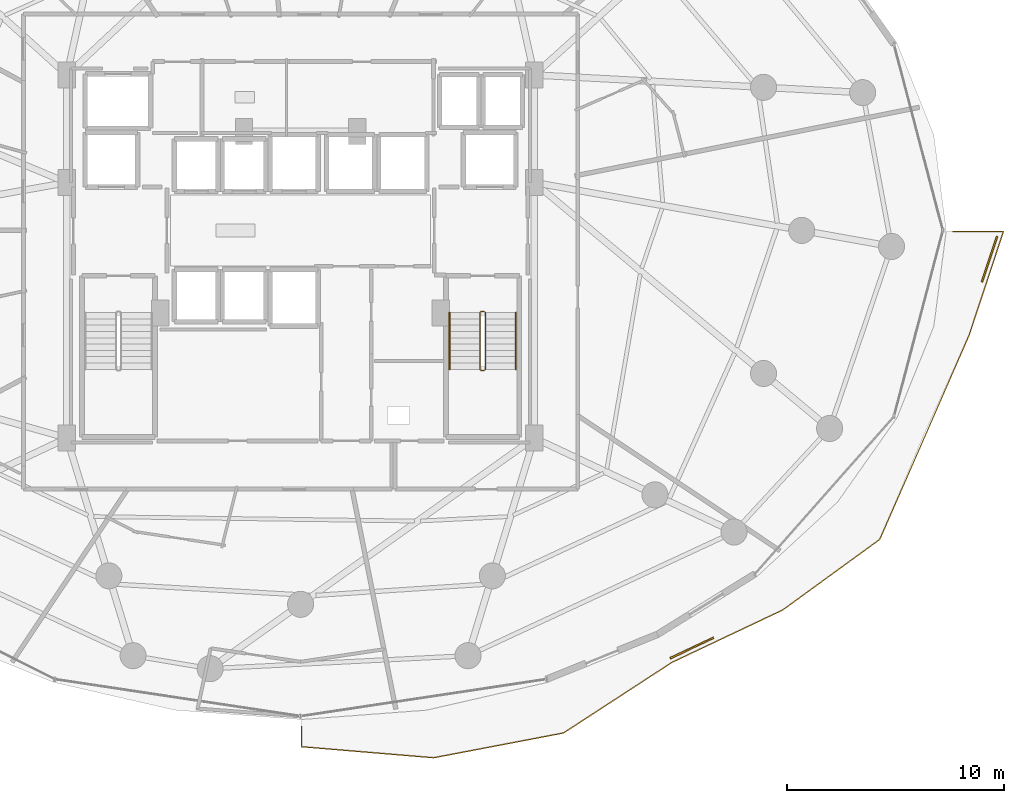
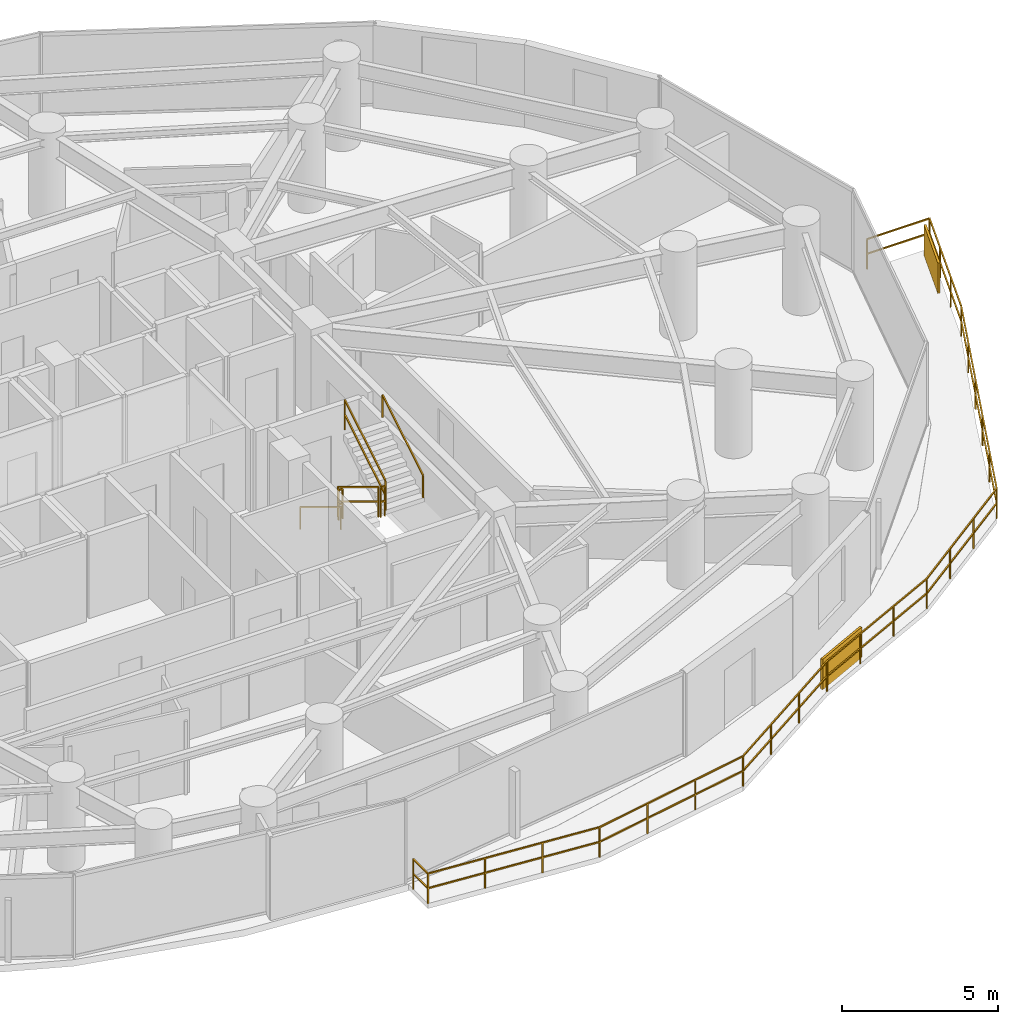
# One storey, part 32 of 34: 8 railings, 2 shading devices.
"""IFC4 building model written with IfcOpenShell, lengths in metres."""

from ifc_helpers import new_model, si_unit, direction, frame, origin, origin_2d, place, context, subcontext, project, spatial, rectangle, extrude, material, type_object, element, save


model = new_model("IFC4")

# Units and contexts
model_context = context("Model", 3, precision=1e-05, world=origin(), true_north=direction((0.0, 1.0)))
body_context = subcontext(model_context, "Body", "Model", "MODEL_VIEW")
ifc_project = project(units=[si_unit("LENGTHUNIT", "METRE"), si_unit("AREAUNIT", "SQUARE_METRE"), si_unit("VOLUMEUNIT", "CUBIC_METRE"), si_unit("PLANEANGLEUNIT", "RADIAN"), si_unit("MASSUNIT", "GRAM", prefix="KILO")], contexts=[model_context])

# Site, building, storey
site_placement = place(None, origin())
site = spatial("IfcSite", under=ifc_project, at=site_placement, CompositionType="ELEMENT")
building_placement = place(site_placement, origin())
building = spatial("IfcBuilding", under=site, at=building_placement, Name="Vorneva Point Tower", CompositionType="ELEMENT")
storey_placement = place(building_placement, frame((0.0, 0.0, 62.5)))
storey = spatial("IfcBuildingStorey", under=building, at=storey_placement, Name="L16", CompositionType="ELEMENT", Elevation=62.5)

# Railings
ifc_material_1 = material(Name="Pale anodised aluminium", Category="aluminium")
railing_type_1 = type_object("IfcRailingType", Name="RL-BAL-1200", PredefinedType="BALUSTRADE", material=ifc_material_1)
railing_1_placement = place(storey_placement, frame((68.75634765625, 21.183349609375, 0.0)))
element("IfcRailing", 1, at=railing_1_placement, inside=storey, type_object=railing_type_1, Name="L16 Wave Balcony Balustrade SE.1", PredefinedType="BALUSTRADE", context=body_context, shape_type="SweptSolid", body=[
    extrude(rectangle(XDim=0.048095703125, YDim=0.048095703125, at=origin_2d()), frame((0.0, 0.0, 1.17578125), z_axis=(0.314126331711, 0.949381192001, 0.0), x_axis=(-0.949381192001, 0.314126331711, 0.0)), (0.0, 0.0, 1.0), 5.020751953125),
    extrude(rectangle(XDim=0.048095703125, YDim=0.048095703125, at=origin_2d()), frame((0.0, 0.0, 0.60009765625), z_axis=(0.314126331711, 0.949381192001, 0.0), x_axis=(-0.949381192001, 0.314126331711, 0.0)), (0.0, 0.0, 1.0), 5.020751953125),
    extrude(rectangle(XDim=0.048095703125, YDim=0.048095703125, at=origin_2d()), frame((1.5771484375, 4.7666015625, 1.17578125), z_axis=(-1.0, 0.0, 0.0), x_axis=(0.0, -1.0, 0.0)), (0.0, 0.0, 1.0), 2.3173828125),
    extrude(rectangle(XDim=0.048095703125, YDim=0.048095703125, at=origin_2d()), frame((1.5771484375, 4.7666015625, 0.60009765625), z_axis=(-1.0, 0.0, 0.0), x_axis=(0.0, -1.0, 0.0)), (0.0, 0.0, 1.0), 2.3173828125),
    extrude(rectangle(XDim=0.0419921875, YDim=0.0419921875, at=origin_2d()), origin(), (0.0, 0.0, 1.0), 1.15185546875),
    extrude(rectangle(XDim=0.0419921875, YDim=0.0419921875, at=origin_2d()), frame((0.525634765625, 1.5888671875, 0.0)), (0.0, 0.0, 1.0), 1.15185546875),
    extrude(rectangle(XDim=0.0419921875, YDim=0.0419921875, at=origin_2d()), frame((1.051513671875, 3.177734375, 0.0)), (0.0, 0.0, 1.0), 1.15185546875),
    extrude(rectangle(XDim=0.0419921875, YDim=0.0419921875, at=origin_2d()), frame((1.5771484375, 4.7666015625, 0.0)), (0.0, 0.0, 1.0), 1.15185546875),
    extrude(rectangle(XDim=0.0419921875, YDim=0.0419921875, at=origin_2d()), frame((-0.740234375, 4.7666015625, 0.0)), (0.0, 0.0, 1.0), 1.15185546875),
])
railing_2_placement = place(storey_placement, frame((38.050048828125, 3.182861328125, 0.0)))
element("IfcRailing", 2, at=railing_2_placement, inside=storey, type_object=railing_type_1, Name="L16 Wave Balcony Balustrade SE.2", PredefinedType="BALUSTRADE", context=body_context, shape_type="SweptSolid", body=[
    extrude(rectangle(XDim=0.048095703125, YDim=0.048095703125, at=origin_2d()), frame((0.0, 0.0, 1.17578125), z_axis=(0.0, -1.0, 0.0), x_axis=(1.0, 0.0, 0.0)), (0.0, 0.0, 1.0), 0.93701171875),
    extrude(rectangle(XDim=0.048095703125, YDim=0.048095703125, at=origin_2d()), frame((0.0, 0.0, 0.60009765625), z_axis=(0.0, -1.0, 0.0), x_axis=(1.0, 0.0, 0.0)), (0.0, 0.0, 1.0), 0.93701171875),
    extrude(rectangle(XDim=0.048095703125, YDim=0.048095703125, at=origin_2d()), frame((0.0, -0.93701171875, 1.17578125), z_axis=(0.996540784652, -0.083105141393, 0.0), x_axis=(0.083105141393, 0.996540784652, 0.0)), (0.0, 0.0, 1.0), 6.095703125),
    extrude(rectangle(XDim=0.048095703125, YDim=0.048095703125, at=origin_2d()), frame((0.0, -0.93701171875, 0.60009765625), z_axis=(0.996540784652, -0.083105141393, 0.0), x_axis=(0.083105141393, 0.996540784652, 0.0)), (0.0, 0.0, 1.0), 6.095703125),
    extrude(rectangle(XDim=0.048095703125, YDim=0.048095703125, at=origin_2d()), frame((6.07470703125, -1.443603515625, 1.17578125), z_axis=(0.982249899768, 0.187577009267, 0.0), x_axis=(-0.187577009267, 0.982249899768, 0.0)), (0.0, 0.0, 1.0), 6.080810546875),
    extrude(rectangle(XDim=0.048095703125, YDim=0.048095703125, at=origin_2d()), frame((6.07470703125, -1.443603515625, 0.60009765625), z_axis=(0.982249899768, 0.187577009267, 0.0), x_axis=(-0.187577009267, 0.982249899768, 0.0)), (0.0, 0.0, 1.0), 6.080810546875),
    extrude(rectangle(XDim=0.048095703125, YDim=0.048095703125, at=origin_2d()), frame((12.047607421875, -0.302978515625, 1.17578125), z_axis=(0.83807349006, 0.545557352859, 0.0), x_axis=(-0.545557352859, 0.83807349006, 0.0)), (0.0, 0.0, 1.0), 5.955810546875),
    extrude(rectangle(XDim=0.048095703125, YDim=0.048095703125, at=origin_2d()), frame((12.047607421875, -0.302978515625, 0.60009765625), z_axis=(0.83807349006, 0.545557352859, 0.0), x_axis=(-0.545557352859, 0.83807349006, 0.0)), (0.0, 0.0, 1.0), 5.955810546875),
    extrude(rectangle(XDim=0.048095703125, YDim=0.048095703125, at=origin_2d()), frame((17.0390625, 2.9462890625, 1.17578125), z_axis=(0.904021080229, 0.427487878778, 0.0), x_axis=(-0.427487878778, 0.904021080229, 0.0)), (0.0, 0.0, 1.0), 5.6298828125),
    extrude(rectangle(XDim=0.048095703125, YDim=0.048095703125, at=origin_2d()), frame((17.0390625, 2.9462890625, 0.60009765625), z_axis=(0.904021080229, 0.427487878778, 0.0), x_axis=(-0.427487878778, 0.904021080229, 0.0)), (0.0, 0.0, 1.0), 5.6298828125),
    extrude(rectangle(XDim=0.048095703125, YDim=0.048095703125, at=origin_2d()), frame((22.128662109375, 5.35302734375, 1.17578125), z_axis=(0.808736084303, 0.588171697675, 0.0), x_axis=(-0.588171697675, 0.808736084303, 0.0)), (0.0, 0.0, 1.0), 5.51904296875),
    extrude(rectangle(XDim=0.048095703125, YDim=0.048095703125, at=origin_2d()), frame((22.128662109375, 5.35302734375, 0.60009765625), z_axis=(0.808736084303, 0.588171697675, 0.0), x_axis=(-0.588171697675, 0.808736084303, 0.0)), (0.0, 0.0, 1.0), 5.51904296875),
    extrude(rectangle(XDim=0.048095703125, YDim=0.048095703125, at=origin_2d()), frame((26.592041015625, 8.59912109375, 1.17578125), z_axis=(0.40091368096, 0.916115833516, 0.0), x_axis=(-0.916115833516, 0.40091368096, 0.0)), (0.0, 0.0, 1.0), 10.26220703125),
    extrude(rectangle(XDim=0.048095703125, YDim=0.048095703125, at=origin_2d()), frame((26.592041015625, 8.59912109375, 0.60009765625), z_axis=(0.40091368096, 0.916115833516, 0.0), x_axis=(-0.916115833516, 0.40091368096, 0.0)), (0.0, 0.0, 1.0), 10.26220703125),
    extrude(rectangle(XDim=0.0419921875, YDim=0.0419921875, at=origin_2d()), origin(), (0.0, 0.0, 1.0), 1.15185546875),
    extrude(rectangle(XDim=0.0419921875, YDim=0.0419921875, at=origin_2d()), frame((0.0, -0.93701171875, 0.0)), (0.0, 0.0, 1.0), 1.15185546875),
    extrude(rectangle(XDim=0.0419921875, YDim=0.0419921875, at=origin_2d()), frame((2.02490234375, -1.10595703125, 0.0)), (0.0, 0.0, 1.0), 1.15185546875),
    extrude(rectangle(XDim=0.0419921875, YDim=0.0419921875, at=origin_2d()), frame((4.0498046875, -1.274658203125, 0.0)), (0.0, 0.0, 1.0), 1.15185546875),
    extrude(rectangle(XDim=0.0419921875, YDim=0.0419921875, at=origin_2d()), frame((6.07470703125, -1.443603515625, 0.0)), (0.0, 0.0, 1.0), 1.15185546875),
    extrude(rectangle(XDim=0.0419921875, YDim=0.0419921875, at=origin_2d()), frame((8.065673828125, -1.0634765625, 0.0)), (0.0, 0.0, 1.0), 1.15185546875),
    extrude(rectangle(XDim=0.0419921875, YDim=0.0419921875, at=origin_2d()), frame((10.056640625, -0.68310546875, 0.0)), (0.0, 0.0, 1.0), 1.15185546875),
    extrude(rectangle(XDim=0.0419921875, YDim=0.0419921875, at=origin_2d()), frame((12.047607421875, -0.302978515625, 0.0)), (0.0, 0.0, 1.0), 1.15185546875),
    extrude(rectangle(XDim=0.0419921875, YDim=0.0419921875, at=origin_2d()), frame((13.71142578125, 0.780029296875, 0.0)), (0.0, 0.0, 1.0), 1.15185546875),
    extrude(rectangle(XDim=0.0419921875, YDim=0.0419921875, at=origin_2d()), frame((15.375244140625, 1.86328125, 0.0)), (0.0, 0.0, 1.0), 1.15185546875),
    extrude(rectangle(XDim=0.0419921875, YDim=0.0419921875, at=origin_2d()), frame((17.0390625, 2.9462890625, 0.0)), (0.0, 0.0, 1.0), 1.15185546875),
    extrude(rectangle(XDim=0.0419921875, YDim=0.0419921875, at=origin_2d()), frame((18.735595703125, 3.74853515625, 0.0)), (0.0, 0.0, 1.0), 1.15185546875),
    extrude(rectangle(XDim=0.0419921875, YDim=0.0419921875, at=origin_2d()), frame((20.43212890625, 4.55078125, 0.0)), (0.0, 0.0, 1.0), 1.15185546875),
    extrude(rectangle(XDim=0.0419921875, YDim=0.0419921875, at=origin_2d()), frame((22.128662109375, 5.35302734375, 0.0)), (0.0, 0.0, 1.0), 1.15185546875),
    extrude(rectangle(XDim=0.0419921875, YDim=0.0419921875, at=origin_2d()), frame((23.616455078125, 6.43505859375, 0.0)), (0.0, 0.0, 1.0), 1.15185546875),
    extrude(rectangle(XDim=0.0419921875, YDim=0.0419921875, at=origin_2d()), frame((25.104248046875, 7.51708984375, 0.0)), (0.0, 0.0, 1.0), 1.15185546875),
    extrude(rectangle(XDim=0.0419921875, YDim=0.0419921875, at=origin_2d()), frame((26.592041015625, 8.59912109375, 0.0)), (0.0, 0.0, 1.0), 1.15185546875),
    extrude(rectangle(XDim=0.0419921875, YDim=0.0419921875, at=origin_2d()), frame((27.414794921875, 10.4794921875, 0.0)), (0.0, 0.0, 1.0), 1.15185546875),
    extrude(rectangle(XDim=0.0419921875, YDim=0.0419921875, at=origin_2d()), frame((28.23779296875, 12.359619140625, 0.0)), (0.0, 0.0, 1.0), 1.15185546875),
    extrude(rectangle(XDim=0.0419921875, YDim=0.0419921875, at=origin_2d()), frame((29.060546875, 14.239990234375, 0.0)), (0.0, 0.0, 1.0), 1.15185546875),
    extrude(rectangle(XDim=0.0419921875, YDim=0.0419921875, at=origin_2d()), frame((29.883544921875, 16.1201171875, 0.0)), (0.0, 0.0, 1.0), 1.15185546875),
    extrude(rectangle(XDim=0.0419921875, YDim=0.0419921875, at=origin_2d()), frame((30.706298828125, 18.00048828125, 0.0)), (0.0, 0.0, 1.0), 1.15185546875),
])
ifc_material_2 = material(Name="Brushed stainless steel S304", Category="steel")
railing_type_2 = type_object("IfcRailingType", Name="RL-HND-920", PredefinedType="HANDRAIL", material=ifc_material_2)
railing_3_placement = place(storey_placement, frame((44.85009765625, 22.219970703125, 0.175048828125)))
element("IfcRailing", 3, at=railing_3_placement, inside=storey, type_object=railing_type_2, Name="L16 ST2 stair handrail 1", PredefinedType="HANDRAIL", context=body_context, shape_type="SweptSolid", body=[
    extrude(rectangle(XDim=0.048095703125, YDim=0.048095703125, at=origin_2d()), frame((0.0, 0.0, 0.8759765625), z_axis=(0.0, -0.85618277418, 0.516673066065), x_axis=(1.0, 0.0, 0.0)), (0.0, 0.0, 1.0), 3.04833984375),
    extrude(rectangle(XDim=0.0419921875, YDim=0.0419921875, at=origin_2d()), origin(), (0.0, 0.0, 1.0), 0.851806640625),
    extrude(rectangle(XDim=0.0419921875, YDim=0.0419921875, at=origin_2d()), frame((0.0, -2.60986328125, 1.574951171875)), (0.0, 0.0, 1.0), 0.851806640625),
])
railing_4_placement = place(storey_placement, frame((47.89990234375, 19.610107421875, 1.925048828125)))
element("IfcRailing", 4, at=railing_4_placement, inside=storey, type_object=railing_type_2, Name="L16 ST2 stair handrail 2", PredefinedType="HANDRAIL", context=body_context, shape_type="SweptSolid", body=[
    extrude(rectangle(XDim=0.048095703125, YDim=0.048095703125, at=origin_2d()), frame((0.0, 0.0, 0.8759765625), z_axis=(0.0, 0.85618277418, 0.516673066065), x_axis=(-1.0, 0.0, 0.0)), (0.0, 0.0, 1.0), 3.04833984375),
    extrude(rectangle(XDim=0.0419921875, YDim=0.0419921875, at=origin_2d()), origin(), (0.0, 0.0, 1.0), 0.851806640625),
    extrude(rectangle(XDim=0.0419921875, YDim=0.0419921875, at=origin_2d()), frame((0.0, 2.60986328125, 1.574951171875)), (0.0, 0.0, 1.0), 0.851806640625),
])
railing_type_3 = type_object("IfcRailingType", Name="RL-STG-1100", PredefinedType="GUARDRAIL", material=ifc_material_2)
railing_5_placement = place(storey_placement, frame((46.25, 22.219970703125, 0.175048828125)))
element("IfcRailing", 5, at=railing_5_placement, inside=storey, type_object=railing_type_3, Name="L16 ST2 stair guard 1", PredefinedType="GUARDRAIL", context=body_context, shape_type="SweptSolid", body=[
    extrude(rectangle(XDim=0.048095703125, YDim=0.048095703125, at=origin_2d()), frame((0.0, 0.0, 1.17578125), z_axis=(0.0, -0.85618277418, 0.516673066065), x_axis=(1.0, 0.0, 0.0)), (0.0, 0.0, 1.0), 3.04833984375),
    extrude(rectangle(XDim=0.048095703125, YDim=0.048095703125, at=origin_2d()), frame((0.0, 0.0, 0.60009765625), z_axis=(0.0, -0.85618277418, 0.516673066065), x_axis=(1.0, 0.0, 0.0)), (0.0, 0.0, 1.0), 3.04833984375),
    extrude(rectangle(XDim=0.0419921875, YDim=0.0419921875, at=origin_2d()), origin(), (0.0, 0.0, 1.0), 1.15185546875),
    extrude(rectangle(XDim=0.0419921875, YDim=0.0419921875, at=origin_2d()), frame((0.0, -2.60986328125, 1.574951171875)), (0.0, 0.0, 1.0), 1.15185546875),
])
railing_6_placement = place(storey_placement, frame((46.300048828125, 19.56005859375, 1.75)))
element("IfcRailing", 6, at=railing_6_placement, inside=storey, type_object=railing_type_3, Name="L16 ST2 stair guard 2", PredefinedType="GUARDRAIL", context=body_context, shape_type="SweptSolid", body=[
    extrude(rectangle(XDim=0.048095703125, YDim=0.048095703125, at=origin_2d()), frame((0.0, 0.0, 1.17578125), z_axis=(1.0, 0.0, 0.0), x_axis=(0.0, 1.0, 0.0)), (0.0, 0.0, 1.0), 0.14990234375),
    extrude(rectangle(XDim=0.048095703125, YDim=0.048095703125, at=origin_2d()), frame((0.0, 0.0, 0.60009765625), z_axis=(1.0, 0.0, 0.0), x_axis=(0.0, 1.0, 0.0)), (0.0, 0.0, 1.0), 0.14990234375),
    extrude(rectangle(XDim=0.0419921875, YDim=0.0419921875, at=origin_2d()), origin(), (0.0, 0.0, 1.0), 1.15185546875),
    extrude(rectangle(XDim=0.0419921875, YDim=0.0419921875, at=origin_2d()), frame((0.14990234375, 0.0, 0.0)), (0.0, 0.0, 1.0), 1.15185546875),
])
railing_7_placement = place(storey_placement, frame((46.5, 19.610107421875, 1.925048828125)))
element("IfcRailing", 7, at=railing_7_placement, inside=storey, type_object=railing_type_3, Name="L16 ST2 stair guard 3", PredefinedType="GUARDRAIL", context=body_context, shape_type="SweptSolid", body=[
    extrude(rectangle(XDim=0.048095703125, YDim=0.048095703125, at=origin_2d()), frame((0.0, 0.0, 1.17578125), z_axis=(0.0, 0.85618277418, 0.516673066065), x_axis=(-1.0, 0.0, 0.0)), (0.0, 0.0, 1.0), 3.04833984375),
    extrude(rectangle(XDim=0.048095703125, YDim=0.048095703125, at=origin_2d()), frame((0.0, 0.0, 0.60009765625), z_axis=(0.0, 0.85618277418, 0.516673066065), x_axis=(-1.0, 0.0, 0.0)), (0.0, 0.0, 1.0), 3.04833984375),
    extrude(rectangle(XDim=0.0419921875, YDim=0.0419921875, at=origin_2d()), origin(), (0.0, 0.0, 1.0), 1.15185546875),
    extrude(rectangle(XDim=0.0419921875, YDim=0.0419921875, at=origin_2d()), frame((0.0, 2.60986328125, 1.574951171875)), (0.0, 0.0, 1.0), 1.15185546875),
])
railing_8_placement = place(storey_placement, frame((46.300048828125, 22.27001953125, 0.0)))
element("IfcRailing", 8, at=railing_8_placement, inside=storey, type_object=railing_type_3, Name="L16 ST2 stair guard 4", PredefinedType="GUARDRAIL", context=body_context, shape_type="SweptSolid", body=[
    extrude(rectangle(XDim=0.048095703125, YDim=0.048095703125, at=origin_2d()), frame((0.0, 0.0, 1.17578125), z_axis=(1.0, 0.0, 0.0), x_axis=(0.0, 1.0, 0.0)), (0.0, 0.0, 1.0), 0.14990234375),
    extrude(rectangle(XDim=0.048095703125, YDim=0.048095703125, at=origin_2d()), frame((0.0, 0.0, 0.60009765625), z_axis=(1.0, 0.0, 0.0), x_axis=(0.0, 1.0, 0.0)), (0.0, 0.0, 1.0), 0.14990234375),
    extrude(rectangle(XDim=0.0419921875, YDim=0.0419921875, at=origin_2d()), origin(), (0.0, 0.0, 1.0), 1.15185546875),
    extrude(rectangle(XDim=0.0419921875, YDim=0.0419921875, at=origin_2d()), frame((0.14990234375, 0.0, 0.0)), (0.0, 0.0, 1.0), 1.15185546875),
])

# Shading devices
shading_device_type = type_object("IfcShadingDeviceType", Name="SHD-JAL-1200", PredefinedType="JALOUSIE", material=ifc_material_1)
for number, where, z_axis, x_axis, name in (
    (9, (69.689208984375, 24.67578125, -0.02001953125), (0.0, 0.0, 1.0), (0.314125017711, 0.94938162677, 0.0), "L16 Balcony Vertical-Greenery Planter Screen SE.1"),
    (10, (55.99755859375, 6.790283203125, -0.02001953125), (0.0, 0.0, 1.0), (0.904022870434, 0.427484092959, 0.0), "L16 Balcony Vertical-Greenery Planter Screen SE.2"),
):
    element("IfcShadingDevice", number, at=place(storey_placement, frame(where, z_axis=z_axis, x_axis=x_axis)), inside=storey, type_object=shading_device_type, Name=name, PredefinedType="JALOUSIE", context=body_context, shape_type="SweptSolid", body=[
        extrude(rectangle(XDim=2.199951171875, YDim=0.080078125, at=origin_2d()), origin(), (0.0, 0.0, 1.0), 1.199951171875),
    ])

save(model, "model.ifc")
